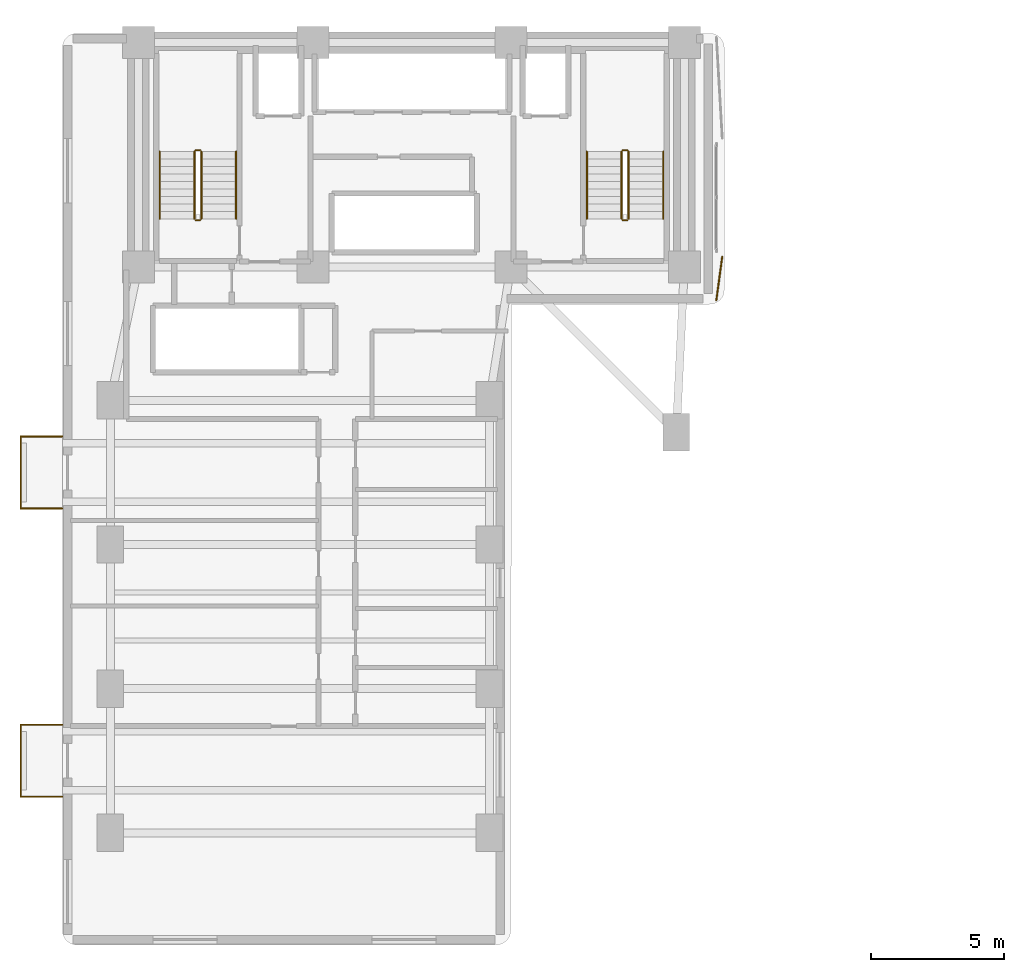
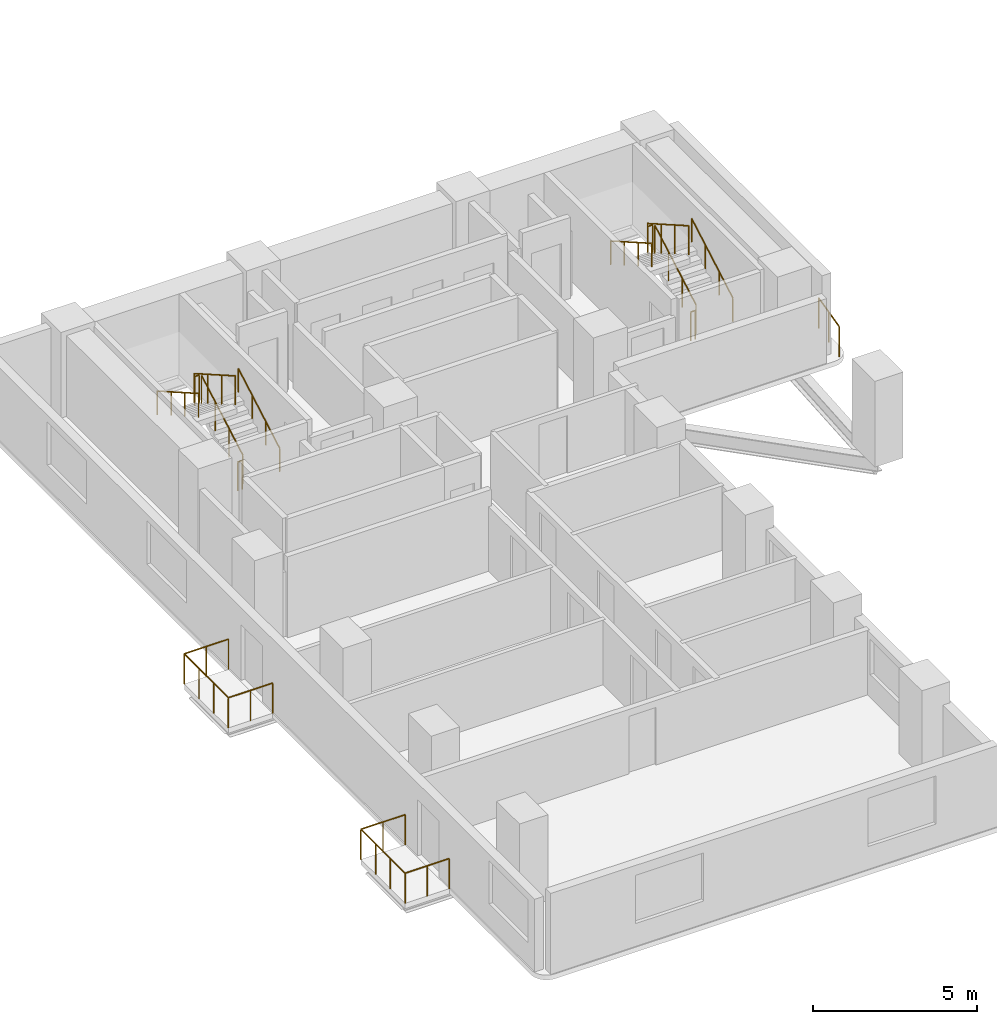
# One storey, part 10 of 12: 19 railings.
"""IFC4 building model written with IfcOpenShell, lengths in metres."""

from ifc_helpers import new_model, si_unit, direction, frame, origin, origin_2d, place, context, subcontext, project, spatial, circle, extrude, material, layer, layer_set, type_object, element, save


model = new_model("IFC4")

# Units and contexts
model_context = context("Model", 3, precision=1e-05, world=origin(), true_north=direction((0.0, 1.0)))
body_context = subcontext(model_context, "Body", "Model", "MODEL_VIEW")
ifc_project = project(units=[si_unit("LENGTHUNIT", "METRE"), si_unit("AREAUNIT", "SQUARE_METRE"), si_unit("VOLUMEUNIT", "CUBIC_METRE"), si_unit("PLANEANGLEUNIT", "RADIAN"), si_unit("MASSUNIT", "GRAM", prefix="KILO")], contexts=[model_context])

# Site, building, storey
site_placement = place(None, origin())
site = spatial("IfcSite", under=ifc_project, at=site_placement, CompositionType="ELEMENT")
building_placement = place(site_placement, origin())
building = spatial("IfcBuilding", under=site, at=building_placement, Name="Kuzgunbayir Cultural Tower", CompositionType="ELEMENT")
storey_placement = place(building_placement, frame((0.0, 0.0, 30.199951171875)))
storey = spatial("IfcBuildingStorey", under=building, at=storey_placement, Name="L07", CompositionType="ELEMENT", Elevation=30.199951171875)

# Railings
ifc_material_1 = material(Name="Laminated Glass and Stainless Steel", Category="steel")
ifc_layer_1 = layer(ifc_material_1, 0.080078125)
ifc_layer_set_1 = layer_set([ifc_layer_1], Name="Laminated Glass and Stainless Steel")
railing_type_1 = type_object("IfcRailingType", Name="RLG-BAL-115", PredefinedType="BALUSTRADE", material=ifc_layer_set_1)
railing_1_placement = place(storey_placement, frame((3.60009765625, 13.949951171875, 0.0)))
element("IfcRailing", 1, at=railing_1_placement, inside=storey, type_object=railing_type_1, Name="L07 Balcony Guard BAL-L07-WA1 Segment 1", PredefinedType="BALUSTRADE", context=body_context, shape_type="SweptSolid", body=[
    extrude(circle(Radius=0.02392578125, at=origin_2d()), frame((0.0, 0.0, 1.1259765625), z_axis=(-1.0, 0.0, 0.0), x_axis=(0.0, -1.0, 0.0)), (0.0, 0.0, 1.0), 1.56005859375),
    extrude(circle(Radius=0.02099609375, at=origin_2d()), origin(), (0.0, 0.0, 1.0), 1.101806640625),
    extrude(circle(Radius=0.02099609375, at=origin_2d()), frame((-0.780029296875, 0.0, 0.0)), (0.0, 0.0, 1.0), 1.101806640625),
    extrude(circle(Radius=0.02099609375, at=origin_2d()), frame((-1.56005859375, 0.0, 0.0)), (0.0, 0.0, 1.0), 1.101806640625),
])
railing_2_placement = place(storey_placement, frame((2.0400390625, 13.949951171875, 0.0)))
element("IfcRailing", 2, at=railing_2_placement, inside=storey, type_object=railing_type_1, Name="L07 Balcony Guard BAL-L07-WA1 Segment 2", PredefinedType="BALUSTRADE", context=body_context, shape_type="SweptSolid", body=[
    extrude(circle(Radius=0.02392578125, at=origin_2d()), frame((0.0, 0.0, 1.1259765625), z_axis=(0.0, 1.0, 0.0), x_axis=(-1.0, 0.0, 0.0)), (0.0, 0.0, 1.0), 2.699951171875),
    extrude(circle(Radius=0.02099609375, at=origin_2d()), origin(), (0.0, 0.0, 1.0), 1.101806640625),
    extrude(circle(Radius=0.02099609375, at=origin_2d()), frame((0.0, 0.89990234375, 0.0)), (0.0, 0.0, 1.0), 1.101806640625),
    extrude(circle(Radius=0.02099609375, at=origin_2d()), frame((0.0, 1.800048828125, 0.0)), (0.0, 0.0, 1.0), 1.101806640625),
    extrude(circle(Radius=0.02099609375, at=origin_2d()), frame((0.0, 2.699951171875, 0.0)), (0.0, 0.0, 1.0), 1.101806640625),
])
railing_3_placement = place(storey_placement, frame((2.0400390625, 16.64990234375, 0.0)))
element("IfcRailing", 3, at=railing_3_placement, inside=storey, type_object=railing_type_1, Name="L07 Balcony Guard BAL-L07-WA1 Segment 3", PredefinedType="BALUSTRADE", context=body_context, shape_type="SweptSolid", body=[
    extrude(circle(Radius=0.02392578125, at=origin_2d()), frame((0.0, 0.0, 1.1259765625), z_axis=(1.0, 0.0, 0.0), x_axis=(0.0, 1.0, 0.0)), (0.0, 0.0, 1.0), 1.56005859375),
    extrude(circle(Radius=0.02099609375, at=origin_2d()), origin(), (0.0, 0.0, 1.0), 1.101806640625),
    extrude(circle(Radius=0.02099609375, at=origin_2d()), frame((0.780029296875, 0.0, 0.0)), (0.0, 0.0, 1.0), 1.101806640625),
    extrude(circle(Radius=0.02099609375, at=origin_2d()), frame((1.56005859375, 0.0, 0.0)), (0.0, 0.0, 1.0), 1.101806640625),
])
railing_4_placement = place(storey_placement, frame((3.60009765625, 24.75, 0.0)))
element("IfcRailing", 4, at=railing_4_placement, inside=storey, type_object=railing_type_1, Name="L07 Balcony Guard BAL-L07-WA3 Segment 1", PredefinedType="BALUSTRADE", context=body_context, shape_type="SweptSolid", body=[
    extrude(circle(Radius=0.02392578125, at=origin_2d()), frame((0.0, 0.0, 1.1259765625), z_axis=(-1.0, 0.0, 0.0), x_axis=(0.0, -1.0, 0.0)), (0.0, 0.0, 1.0), 1.56005859375),
    extrude(circle(Radius=0.02099609375, at=origin_2d()), origin(), (0.0, 0.0, 1.0), 1.101806640625),
    extrude(circle(Radius=0.02099609375, at=origin_2d()), frame((-0.780029296875, 0.0, 0.0)), (0.0, 0.0, 1.0), 1.101806640625),
    extrude(circle(Radius=0.02099609375, at=origin_2d()), frame((-1.56005859375, 0.0, 0.0)), (0.0, 0.0, 1.0), 1.101806640625),
])
railing_5_placement = place(storey_placement, frame((2.0400390625, 24.75, 0.0)))
element("IfcRailing", 5, at=railing_5_placement, inside=storey, type_object=railing_type_1, Name="L07 Balcony Guard BAL-L07-WA3 Segment 2", PredefinedType="BALUSTRADE", context=body_context, shape_type="SweptSolid", body=[
    extrude(circle(Radius=0.02392578125, at=origin_2d()), frame((0.0, 0.0, 1.1259765625), z_axis=(0.0, 1.0, 0.0), x_axis=(-1.0, 0.0, 0.0)), (0.0, 0.0, 1.0), 2.699951171875),
    extrude(circle(Radius=0.02099609375, at=origin_2d()), origin(), (0.0, 0.0, 1.0), 1.101806640625),
    extrude(circle(Radius=0.02099609375, at=origin_2d()), frame((0.0, 0.89990234375, 0.0)), (0.0, 0.0, 1.0), 1.101806640625),
    extrude(circle(Radius=0.02099609375, at=origin_2d()), frame((0.0, 1.800048828125, 0.0)), (0.0, 0.0, 1.0), 1.101806640625),
    extrude(circle(Radius=0.02099609375, at=origin_2d()), frame((0.0, 2.699951171875, 0.0)), (0.0, 0.0, 1.0), 1.101806640625),
])
railing_6_placement = place(storey_placement, frame((2.0400390625, 27.449951171875, 0.0)))
element("IfcRailing", 6, at=railing_6_placement, inside=storey, type_object=railing_type_1, Name="L07 Balcony Guard BAL-L07-WA3 Segment 3", PredefinedType="BALUSTRADE", context=body_context, shape_type="SweptSolid", body=[
    extrude(circle(Radius=0.02392578125, at=origin_2d()), frame((0.0, 0.0, 1.1259765625), z_axis=(1.0, 0.0, 0.0), x_axis=(0.0, 1.0, 0.0)), (0.0, 0.0, 1.0), 1.56005859375),
    extrude(circle(Radius=0.02099609375, at=origin_2d()), origin(), (0.0, 0.0, 1.0), 1.101806640625),
    extrude(circle(Radius=0.02099609375, at=origin_2d()), frame((0.780029296875, 0.0, 0.0)), (0.0, 0.0, 1.0), 1.101806640625),
    extrude(circle(Radius=0.02099609375, at=origin_2d()), frame((1.56005859375, 0.0, 0.0)), (0.0, 0.0, 1.0), 1.101806640625),
])
railing_7_placement = place(storey_placement, frame((28.320068359375, 34.179931640625, 0.0)))
element("IfcRailing", 7, at=railing_7_placement, inside=storey, type_object=railing_type_1, Name="L07 Perimeter Edge Guard 2", PredefinedType="BALUSTRADE", context=body_context, shape_type="SweptSolid", body=[
    extrude(circle(Radius=0.02392578125, at=origin_2d()), frame((0.0, 0.0, 1.1259765625), z_axis=(-0.133748471405, -0.991015310879, 0.0), x_axis=(0.991015310879, -0.133748471405, 0.0)), (0.0, 0.0, 1.0), 1.644775390625),
    extrude(circle(Radius=0.02099609375, at=origin_2d()), origin(), (0.0, 0.0, 1.0), 1.101806640625),
    extrude(circle(Radius=0.02099609375, at=origin_2d()), frame((-0.10986328125, -0.81494140625, 0.0)), (0.0, 0.0, 1.0), 1.101806640625),
    extrude(circle(Radius=0.02099609375, at=origin_2d()), frame((-0.219970703125, -1.6298828125, 0.0)), (0.0, 0.0, 1.0), 1.101806640625),
])
ifc_material_2 = material(Name="Brushed Stainless Steel", Category="steel")
ifc_layer_2 = layer(ifc_material_2, 0.050048828125)
ifc_layer_set_2 = layer_set([ifc_layer_2], Name="Brushed Stainless Steel")
railing_type_2 = type_object("IfcRailingType", Name="RLG-STAIR-HANDRAIL", PredefinedType="HANDRAIL", material=ifc_layer_set_2)
railing_8_placement = place(storey_placement, frame((10.110107421875, 35.60009765625, 0.16015625)))
element("IfcRailing", 8, at=railing_8_placement, inside=storey, type_object=railing_type_2, Name="L07 ST-1 stair handrail 1", PredefinedType="HANDRAIL", context=body_context, shape_type="SweptSolid", body=[
    extrude(circle(Radius=0.02392578125, at=origin_2d()), frame((0.0, 0.0, 0.8759765625), z_axis=(0.0, 0.868253494771, 0.496120820787), x_axis=(-1.0, 0.0, 0.0)), (0.0, 0.0, 1.0), 2.90234375),
    extrude(circle(Radius=0.02099609375, at=origin_2d()), origin(), (0.0, 0.0, 1.0), 0.851806640625),
    extrude(circle(Radius=0.02099609375, at=origin_2d()), frame((0.0, 0.840087890625, 0.47998046875)), (0.0, 0.0, 1.0), 0.851806640625),
    extrude(circle(Radius=0.02099609375, at=origin_2d()), frame((0.0, 1.679931640625, 0.9599609375)), (0.0, 0.0, 1.0), 0.851806640625),
    extrude(circle(Radius=0.02099609375, at=origin_2d()), frame((0.0, 2.52001953125, 1.43994140625)), (0.0, 0.0, 1.0), 0.851806640625),
])
railing_9_placement = place(storey_placement, frame((7.25, 38.1201171875, 1.760009765625)))
element("IfcRailing", 9, at=railing_9_placement, inside=storey, type_object=railing_type_2, Name="L07 ST-1 stair handrail 2", PredefinedType="HANDRAIL", context=body_context, shape_type="SweptSolid", body=[
    extrude(circle(Radius=0.02392578125, at=origin_2d()), frame((0.0, 0.0, 0.8759765625), z_axis=(0.0, -0.868253494771, 0.496120820787), x_axis=(1.0, 0.0, 0.0)), (0.0, 0.0, 1.0), 2.90234375),
    extrude(circle(Radius=0.02099609375, at=origin_2d()), origin(), (0.0, 0.0, 1.0), 0.851806640625),
    extrude(circle(Radius=0.02099609375, at=origin_2d()), frame((0.0, -0.840087890625, 0.47998046875)), (0.0, 0.0, 1.0), 0.851806640625),
    extrude(circle(Radius=0.02099609375, at=origin_2d()), frame((0.0, -1.679931640625, 0.9599609375)), (0.0, 0.0, 1.0), 0.851806640625),
    extrude(circle(Radius=0.02099609375, at=origin_2d()), frame((0.0, -2.52001953125, 1.43994140625)), (0.0, 0.0, 1.0), 0.851806640625),
])
railing_10_placement = place(storey_placement, frame((26.110107421875, 35.60009765625, 0.16015625)))
element("IfcRailing", 10, at=railing_10_placement, inside=storey, type_object=railing_type_2, Name="L07 ST-2 stair handrail 1", PredefinedType="HANDRAIL", context=body_context, shape_type="SweptSolid", body=[
    extrude(circle(Radius=0.02392578125, at=origin_2d()), frame((0.0, 0.0, 0.8759765625), z_axis=(0.0, 0.868253494771, 0.496120820787), x_axis=(-1.0, 0.0, 0.0)), (0.0, 0.0, 1.0), 2.90234375),
    extrude(circle(Radius=0.02099609375, at=origin_2d()), origin(), (0.0, 0.0, 1.0), 0.851806640625),
    extrude(circle(Radius=0.02099609375, at=origin_2d()), frame((0.0, 0.840087890625, 0.47998046875)), (0.0, 0.0, 1.0), 0.851806640625),
    extrude(circle(Radius=0.02099609375, at=origin_2d()), frame((0.0, 1.679931640625, 0.9599609375)), (0.0, 0.0, 1.0), 0.851806640625),
    extrude(circle(Radius=0.02099609375, at=origin_2d()), frame((0.0, 2.52001953125, 1.43994140625)), (0.0, 0.0, 1.0), 0.851806640625),
])
railing_11_placement = place(storey_placement, frame((23.25, 38.1201171875, 1.760009765625)))
element("IfcRailing", 11, at=railing_11_placement, inside=storey, type_object=railing_type_2, Name="L07 ST-2 stair handrail 2", PredefinedType="HANDRAIL", context=body_context, shape_type="SweptSolid", body=[
    extrude(circle(Radius=0.02392578125, at=origin_2d()), frame((0.0, 0.0, 0.8759765625), z_axis=(0.0, -0.868253494771, 0.496120820787), x_axis=(1.0, 0.0, 0.0)), (0.0, 0.0, 1.0), 2.90234375),
    extrude(circle(Radius=0.02099609375, at=origin_2d()), origin(), (0.0, 0.0, 1.0), 0.851806640625),
    extrude(circle(Radius=0.02099609375, at=origin_2d()), frame((0.0, -0.840087890625, 0.47998046875)), (0.0, 0.0, 1.0), 0.851806640625),
    extrude(circle(Radius=0.02099609375, at=origin_2d()), frame((0.0, -1.679931640625, 0.9599609375)), (0.0, 0.0, 1.0), 0.851806640625),
    extrude(circle(Radius=0.02099609375, at=origin_2d()), frame((0.0, -2.52001953125, 1.43994140625)), (0.0, 0.0, 1.0), 0.851806640625),
])
ifc_material_3 = material(Name="Painted Steel Balustrade", Category="steel")
ifc_layer_3 = layer(ifc_material_3, 0.06005859375)
ifc_layer_set_3 = layer_set([ifc_layer_3], Name="Painted Steel Balustrade")
railing_type_3 = type_object("IfcRailingType", Name="RLG-WELL-GUARD", PredefinedType="GUARDRAIL", material=ifc_layer_set_3)
railing_12_placement = place(storey_placement, frame((8.81005859375, 35.60009765625, 0.16015625)))
element("IfcRailing", 12, at=railing_12_placement, inside=storey, type_object=railing_type_3, Name="L07 ST-1 stair guard 1", PredefinedType="GUARDRAIL", context=body_context, shape_type="SweptSolid", body=[
    extrude(circle(Radius=0.02392578125, at=origin_2d()), frame((0.0, 0.0, 1.076171875), z_axis=(0.0, 0.868253494771, 0.496120820787), x_axis=(-1.0, 0.0, 0.0)), (0.0, 0.0, 1.0), 2.90234375),
    extrude(circle(Radius=0.02099609375, at=origin_2d()), origin(), (0.0, 0.0, 1.0), 1.052001953125),
    extrude(circle(Radius=0.02099609375, at=origin_2d()), frame((0.0, 0.840087890625, 0.47998046875)), (0.0, 0.0, 1.0), 1.052001953125),
    extrude(circle(Radius=0.02099609375, at=origin_2d()), frame((0.0, 1.679931640625, 0.9599609375)), (0.0, 0.0, 1.0), 1.052001953125),
    extrude(circle(Radius=0.02099609375, at=origin_2d()), frame((0.0, 2.52001953125, 1.43994140625)), (0.0, 0.0, 1.0), 1.052001953125),
])
railing_13_placement = place(storey_placement, frame((8.760009765625, 38.169921875, 1.60009765625)))
element("IfcRailing", 13, at=railing_13_placement, inside=storey, type_object=railing_type_3, Name="L07 ST-1 stair guard 2", PredefinedType="GUARDRAIL", context=body_context, shape_type="SweptSolid", body=[
    extrude(circle(Radius=0.02392578125, at=origin_2d()), frame((0.0, 0.0, 1.076171875), z_axis=(-1.0, 0.0, 0.0), x_axis=(0.0, -1.0, 0.0)), (0.0, 0.0, 1.0), 0.159912109375),
    extrude(circle(Radius=0.02099609375, at=origin_2d()), origin(), (0.0, 0.0, 1.0), 1.052001953125),
    extrude(circle(Radius=0.02099609375, at=origin_2d()), frame((-0.159912109375, 0.0, 0.0)), (0.0, 0.0, 1.0), 1.052001953125),
])
railing_14_placement = place(storey_placement, frame((8.550048828125, 38.1201171875, 1.760009765625)))
element("IfcRailing", 14, at=railing_14_placement, inside=storey, type_object=railing_type_3, Name="L07 ST-1 stair guard 3", PredefinedType="GUARDRAIL", context=body_context, shape_type="SweptSolid", body=[
    extrude(circle(Radius=0.02392578125, at=origin_2d()), frame((0.0, 0.0, 1.076171875), z_axis=(0.0, -0.868253494771, 0.496120820787), x_axis=(1.0, 0.0, 0.0)), (0.0, 0.0, 1.0), 2.90234375),
    extrude(circle(Radius=0.02099609375, at=origin_2d()), origin(), (0.0, 0.0, 1.0), 1.052001953125),
    extrude(circle(Radius=0.02099609375, at=origin_2d()), frame((0.0, -0.840087890625, 0.47998046875)), (0.0, 0.0, 1.0), 1.052001953125),
    extrude(circle(Radius=0.02099609375, at=origin_2d()), frame((0.0, -1.679931640625, 0.9599609375)), (0.0, 0.0, 1.0), 1.052001953125),
    extrude(circle(Radius=0.02099609375, at=origin_2d()), frame((0.0, -2.52001953125, 1.43994140625)), (0.0, 0.0, 1.0), 1.052001953125),
])
railing_15_placement = place(storey_placement, frame((8.760009765625, 35.550048828125, 0.0)))
element("IfcRailing", 15, at=railing_15_placement, inside=storey, type_object=railing_type_3, Name="L07 ST-1 stair guard 4", PredefinedType="GUARDRAIL", context=body_context, shape_type="SweptSolid", body=[
    extrude(circle(Radius=0.02392578125, at=origin_2d()), frame((0.0, 0.0, 1.076171875), z_axis=(-1.0, 0.0, 0.0), x_axis=(0.0, -1.0, 0.0)), (0.0, 0.0, 1.0), 0.159912109375),
    extrude(circle(Radius=0.02099609375, at=origin_2d()), origin(), (0.0, 0.0, 1.0), 1.052001953125),
    extrude(circle(Radius=0.02099609375, at=origin_2d()), frame((-0.159912109375, 0.0, 0.0)), (0.0, 0.0, 1.0), 1.052001953125),
])
railing_16_placement = place(storey_placement, frame((24.81005859375, 35.60009765625, 0.16015625)))
element("IfcRailing", 16, at=railing_16_placement, inside=storey, type_object=railing_type_3, Name="L07 ST-2 stair guard 1", PredefinedType="GUARDRAIL", context=body_context, shape_type="SweptSolid", body=[
    extrude(circle(Radius=0.02392578125, at=origin_2d()), frame((0.0, 0.0, 1.076171875), z_axis=(0.0, 0.868253494771, 0.496120820787), x_axis=(-1.0, 0.0, 0.0)), (0.0, 0.0, 1.0), 2.90234375),
    extrude(circle(Radius=0.02099609375, at=origin_2d()), origin(), (0.0, 0.0, 1.0), 1.052001953125),
    extrude(circle(Radius=0.02099609375, at=origin_2d()), frame((0.0, 0.840087890625, 0.47998046875)), (0.0, 0.0, 1.0), 1.052001953125),
    extrude(circle(Radius=0.02099609375, at=origin_2d()), frame((0.0, 1.679931640625, 0.9599609375)), (0.0, 0.0, 1.0), 1.052001953125),
    extrude(circle(Radius=0.02099609375, at=origin_2d()), frame((0.0, 2.52001953125, 1.43994140625)), (0.0, 0.0, 1.0), 1.052001953125),
])
railing_17_placement = place(storey_placement, frame((24.760009765625, 38.169921875, 1.60009765625)))
element("IfcRailing", 17, at=railing_17_placement, inside=storey, type_object=railing_type_3, Name="L07 ST-2 stair guard 2", PredefinedType="GUARDRAIL", context=body_context, shape_type="SweptSolid", body=[
    extrude(circle(Radius=0.02392578125, at=origin_2d()), frame((0.0, 0.0, 1.076171875), z_axis=(-1.0, 0.0, 0.0), x_axis=(0.0, -1.0, 0.0)), (0.0, 0.0, 1.0), 0.159912109375),
    extrude(circle(Radius=0.02099609375, at=origin_2d()), origin(), (0.0, 0.0, 1.0), 1.052001953125),
    extrude(circle(Radius=0.02099609375, at=origin_2d()), frame((-0.159912109375, 0.0, 0.0)), (0.0, 0.0, 1.0), 1.052001953125),
])
railing_18_placement = place(storey_placement, frame((24.550048828125, 38.1201171875, 1.760009765625)))
element("IfcRailing", 18, at=railing_18_placement, inside=storey, type_object=railing_type_3, Name="L07 ST-2 stair guard 3", PredefinedType="GUARDRAIL", context=body_context, shape_type="SweptSolid", body=[
    extrude(circle(Radius=0.02392578125, at=origin_2d()), frame((0.0, 0.0, 1.076171875), z_axis=(0.0, -0.868253494771, 0.496120820787), x_axis=(1.0, 0.0, 0.0)), (0.0, 0.0, 1.0), 2.90234375),
    extrude(circle(Radius=0.02099609375, at=origin_2d()), origin(), (0.0, 0.0, 1.0), 1.052001953125),
    extrude(circle(Radius=0.02099609375, at=origin_2d()), frame((0.0, -0.840087890625, 0.47998046875)), (0.0, 0.0, 1.0), 1.052001953125),
    extrude(circle(Radius=0.02099609375, at=origin_2d()), frame((0.0, -1.679931640625, 0.9599609375)), (0.0, 0.0, 1.0), 1.052001953125),
    extrude(circle(Radius=0.02099609375, at=origin_2d()), frame((0.0, -2.52001953125, 1.43994140625)), (0.0, 0.0, 1.0), 1.052001953125),
])
railing_19_placement = place(storey_placement, frame((24.760009765625, 35.550048828125, 0.0)))
element("IfcRailing", 19, at=railing_19_placement, inside=storey, type_object=railing_type_3, Name="L07 ST-2 stair guard 4", PredefinedType="GUARDRAIL", context=body_context, shape_type="SweptSolid", body=[
    extrude(circle(Radius=0.02392578125, at=origin_2d()), frame((0.0, 0.0, 1.076171875), z_axis=(-1.0, 0.0, 0.0), x_axis=(0.0, -1.0, 0.0)), (0.0, 0.0, 1.0), 0.159912109375),
    extrude(circle(Radius=0.02099609375, at=origin_2d()), origin(), (0.0, 0.0, 1.0), 1.052001953125),
    extrude(circle(Radius=0.02099609375, at=origin_2d()), frame((-0.159912109375, 0.0, 0.0)), (0.0, 0.0, 1.0), 1.052001953125),
])

save(model, "model.ifc")
